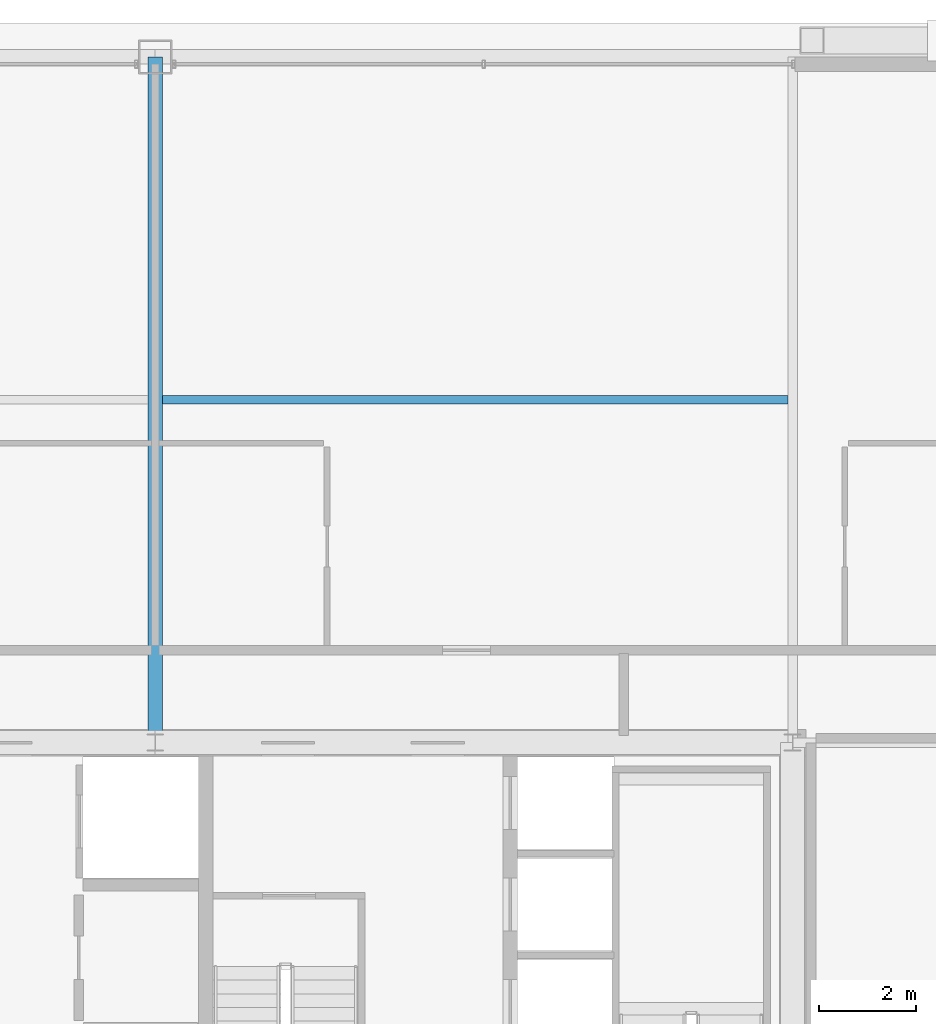
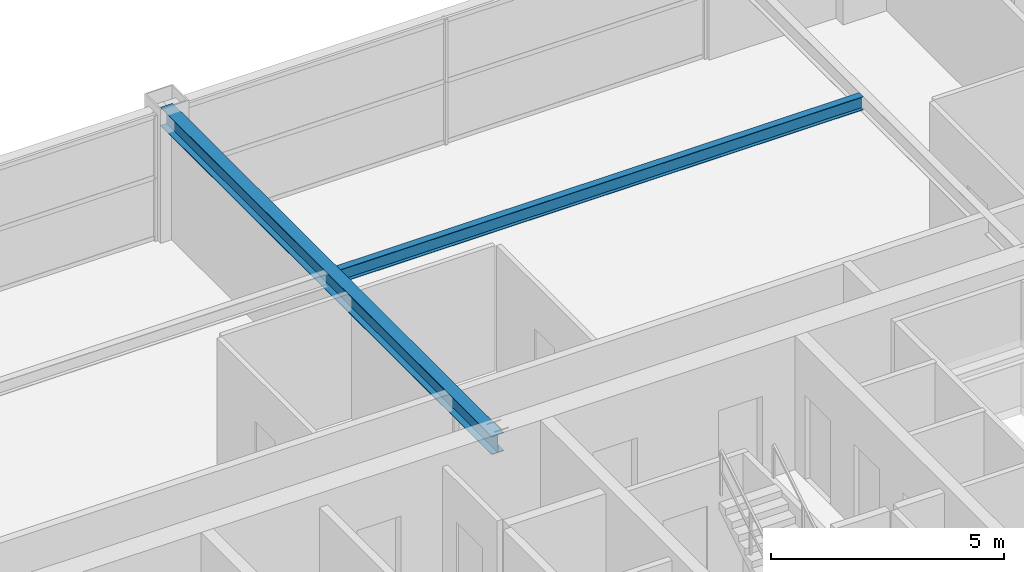
# One storey, part 26 of 35: 2 beams.
"""IFC4 building model written with IfcOpenShell, lengths in metres."""

from ifc_helpers import new_model, si_unit, direction, frame, origin, origin_2d, place, context, subcontext, project, spatial, i_section, extrude, source, transform, mapped, material, material_profile, profile_set, type_object, element, save


model = new_model("IFC4")

# Units and contexts
model_context = context("Model", 3, precision=1e-05, world=origin(), true_north=direction((0.0, 1.0)))
body_context = subcontext(model_context, "Body", "Model", "MODEL_VIEW")
ifc_project = project(units=[si_unit("LENGTHUNIT", "METRE"), si_unit("AREAUNIT", "SQUARE_METRE"), si_unit("VOLUMEUNIT", "CUBIC_METRE"), si_unit("PLANEANGLEUNIT", "RADIAN"), si_unit("MASSUNIT", "GRAM", prefix="KILO"), si_unit("THERMODYNAMICTEMPERATUREUNIT", "KELVIN"), si_unit("POWERUNIT", "WATT")], contexts=[model_context])

# Site, building, storey
site_placement = place(None, origin())
site = spatial("IfcSite", under=ifc_project, at=site_placement, CompositionType="ELEMENT")
building_placement = place(site_placement, origin())
building = spatial("IfcBuilding", under=site, at=building_placement, Name="Yuzanri Waterfront Tower", CompositionType="ELEMENT")
storey_placement = place(building_placement, frame((0.0, 0.0, 271.60009765625)))
storey = spatial("IfcBuildingStorey", under=building, at=storey_placement, Name="L72", CompositionType="ELEMENT", Elevation=271.60009765625)

# Beams
ifc_material_1 = material(Name="Steel Q355B", Category="steel")
ifc_material_profile_1 = material_profile(ifc_material_1, i_section(OverallWidth=0.300048828125, OverallDepth=0.488037109375, WebThickness=0.010986328125, FlangeThickness=0.01806640625, at=origin_2d()), Name="HM 488x300x11x18")
ifc_profile_set_1 = profile_set([ifc_material_profile_1], Name="Steel Q355B")
beam_type_1 = type_object("IfcBeamType", Name="Primary Floor Girder Q355B HM 488x300", PredefinedType="BEAM", material=ifc_profile_set_1)
shared_shape_1 = source(origin(), body_context, "Body", "SweptSolid", [
    extrude(i_section(OverallWidth=0.300048828125, OverallDepth=0.488037109375, WebThickness=0.010986328125, FlangeThickness=0.01806640625, at=origin_2d()), origin(), (0.0, 0.0, 1.0), 14.199951171875),
])
beam_1_placement = place(storey_placement, frame((37.0, 32.199951171875, 3.035888671875), z_axis=(0.0, 1.0, 0.0), x_axis=(-1.0, 0.0, 0.0)))
element("IfcBeam", 1, at=beam_1_placement, inside=storey, type_object=beam_type_1, Name="L72 North Grid Girder", PredefinedType="BEAM", context=body_context, shape_type="MappedRepresentation", body=[
    mapped(shared_shape_1, transform((0.0, 0.0, 0.0), scale=1.0)),
])
ifc_material_2 = material(Name="Steel Q355B", Category="steel")
ifc_material_profile_2 = material_profile(ifc_material_2, i_section(OverallWidth=0.175048828125, OverallDepth=0.35009765625, WebThickness=0.007080078125, FlangeThickness=0.010986328125, at=origin_2d()), Name="HN 350x175x7x11")
ifc_profile_set_2 = profile_set([ifc_material_profile_2], Name="Steel Q355B")
beam_type_2 = type_object("IfcBeamType", Name="Floor Joist Q355B HN 350x175", PredefinedType="JOIST", material=ifc_profile_set_2)
shared_shape_2 = source(origin(), body_context, "Body", "SweptSolid", [
    extrude(i_section(OverallWidth=0.175048828125, OverallDepth=0.35009765625, WebThickness=0.007080078125, FlangeThickness=0.010986328125, at=origin_2d()), origin(), (0.0, 0.0, 1.0), 12.9501953125),
])
beam_2_placement = place(storey_placement, frame((37.14990234375, 39.300048828125, 3.10498046875), z_axis=(1.0, 0.0, 0.0), x_axis=(0.0, 1.0, 0.0)))
element("IfcBeam", 2, at=beam_2_placement, inside=storey, type_object=beam_type_2, Name="L72 North Bay Joist E", PredefinedType="JOIST", context=body_context, shape_type="MappedRepresentation", body=[
    mapped(shared_shape_2, transform((0.0, 0.0, 0.0), scale=1.0)),
])

save(model, "model.ifc")
